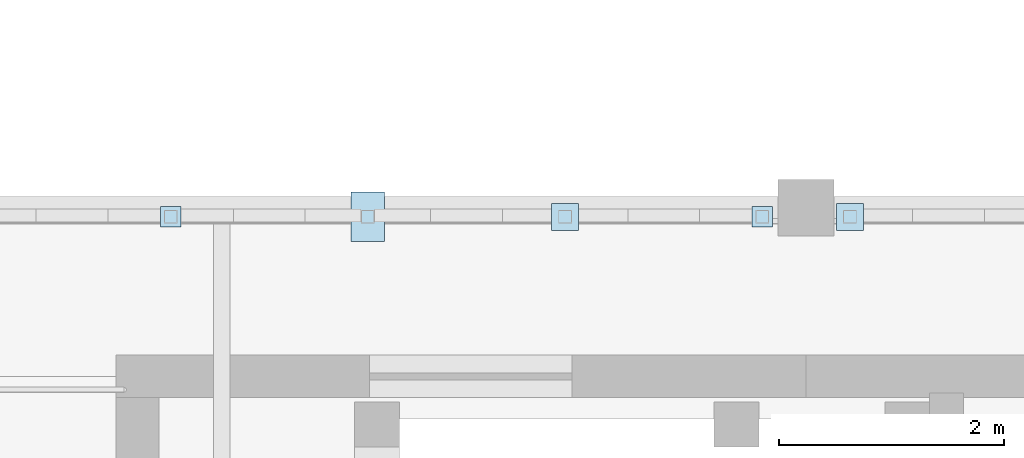
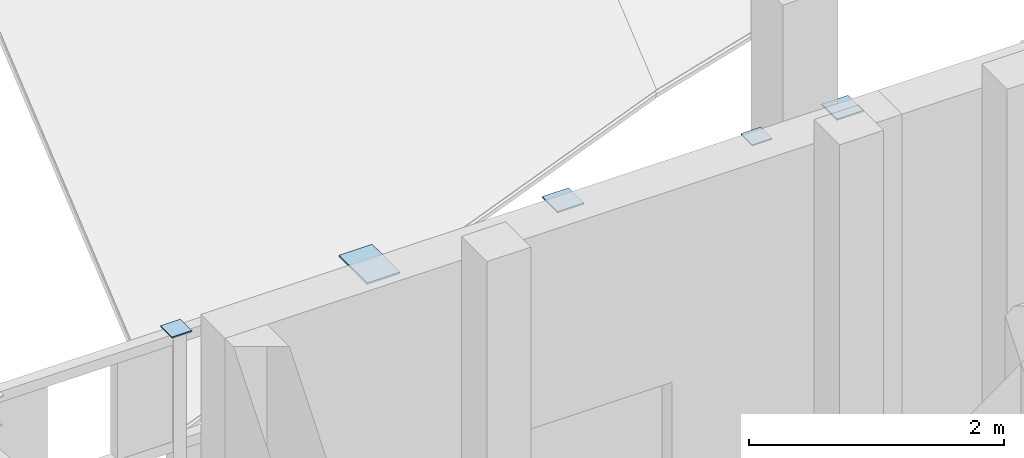
# One storey, part 59 of 89: 5 plates.
"""IFC4 building model written with IfcOpenShell, lengths in metres."""

from ifc_helpers import new_model, si_unit, direction, frame, origin, origin_2d, place, context, subcontext, project, spatial, rectangle, extrude, material, layer, layer_set, type_object, element, save


model = new_model("IFC4")

# Units and contexts
model_context = context("Model", 3, precision=1e-05, world=origin(), true_north=direction((0.0, 1.0)))
body_context = subcontext(model_context, "Body", "Model", "MODEL_VIEW")
ifc_project = project(units=[si_unit("LENGTHUNIT", "METRE"), si_unit("AREAUNIT", "SQUARE_METRE"), si_unit("VOLUMEUNIT", "CUBIC_METRE"), si_unit("PLANEANGLEUNIT", "RADIAN"), si_unit("MASSUNIT", "GRAM", prefix="KILO")], contexts=[model_context])

# Site, building, storey
site_placement = place(None, origin())
site = spatial("IfcSite", under=ifc_project, at=site_placement, CompositionType="ELEMENT")
building_placement = place(site_placement, origin())
building = spatial("IfcBuilding", under=site, at=building_placement, Name="Celorna Specialist Clinic", CompositionType="ELEMENT")
storey_placement = place(building_placement, frame((0.0, 0.0, 14.10009765625)))
storey = spatial("IfcBuildingStorey", under=building, at=storey_placement, Name="L03", CompositionType="ELEMENT", Elevation=14.10009765625)

# Plates
ifc_material = material(Name="Steel S355", Category="steel")
ifc_layer_1 = layer(ifc_material, 0.011962890625, Name="Steel S355")
ifc_layer_set_1 = layer_set([ifc_layer_1], Name="Steel S355")
plate_type_1 = type_object("IfcPlateType", Name="EP-06", PredefinedType="SHEET", material=ifc_layer_set_1)
for number, where, z_axis, x_axis, name in (
    (1, (56.7451171875, 42.820068359375, 3.1796875), (0.0, 0.0, 1.0), (1.0, 0.0, 0.0), "Screen post cap plate EP-06 #624"),
    (2, (62.010009765625, 42.820068359375, 3.1796875), (0.0, 0.0, 1.0), (1.0, 0.0, 0.0), "Screen post cap plate EP-06 #627"),
):
    element("IfcPlate", number, at=place(storey_placement, frame(where, z_axis=z_axis, x_axis=x_axis)), inside=storey, type_object=plate_type_1, Name=name, PredefinedType="SHEET", context=body_context, shape_type="SweptSolid", body=[
        extrude(rectangle(XDim=0.179931640625, YDim=0.179931640625, at=origin_2d()), origin(), (0.0, 0.0, 1.0), 0.011962890625),
    ])
ifc_layer_2 = layer(ifc_material, 0.01611328125, Name="Steel S355")
ifc_layer_set_2 = layer_set([ifc_layer_2], Name="Steel S355")
plate_type_2 = type_object("IfcPlateType", Name="EP-07", PredefinedType="SHEET", material=ifc_layer_set_2)
plate_placement = place(storey_placement, frame((58.5, 42.820068359375, 3.179931640625), z_axis=(0.0, 0.0, 1.0), x_axis=(1.0, 0.0, 0.0)))
element("IfcPlate", 3, at=plate_placement, inside=storey, type_object=plate_type_2, Name="Screen post cap plate EP-07 #625", PredefinedType="SHEET", context=body_context, shape_type="SweptSolid", body=[
    extrude(rectangle(XDim=0.300048828125, YDim=0.43994140625, at=origin_2d()), origin(), (0.0, 0.0, 1.0), 0.01611328125),
])
ifc_layer_3 = layer(ifc_material, 0.013916015625, Name="Steel S355")
ifc_layer_set_3 = layer_set([ifc_layer_3], Name="Steel S355")
plate_type_3 = type_object("IfcPlateType", Name="EP-08", PredefinedType="SHEET", material=ifc_layer_set_3)
for number, where, z_axis, x_axis, name in (
    (4, (60.2548828125, 42.820068359375, 3.18017578125), (0.0, 0.0, 1.0), (1.0, 0.0, 0.0), "Screen post cap plate EP-08 #626"),
    (5, (62.7900390625, 42.820068359375, 3.18017578125), (0.0, 0.0, 1.0), (1.0, 0.0, 0.0), "Screen post cap plate EP-08 #644"),
):
    element("IfcPlate", number, at=place(storey_placement, frame(where, z_axis=z_axis, x_axis=x_axis)), inside=storey, type_object=plate_type_3, Name=name, PredefinedType="SHEET", context=body_context, shape_type="SweptSolid", body=[
        extrude(rectangle(XDim=0.239990234375, YDim=0.239990234375, at=origin_2d()), origin(), (0.0, 0.0, 1.0), 0.013916015625),
    ])

save(model, "model.ifc")
